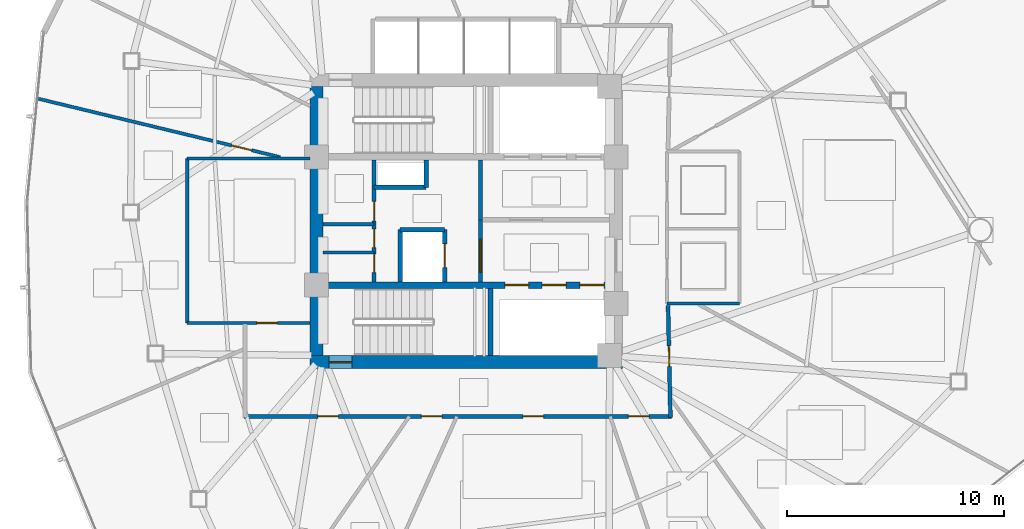
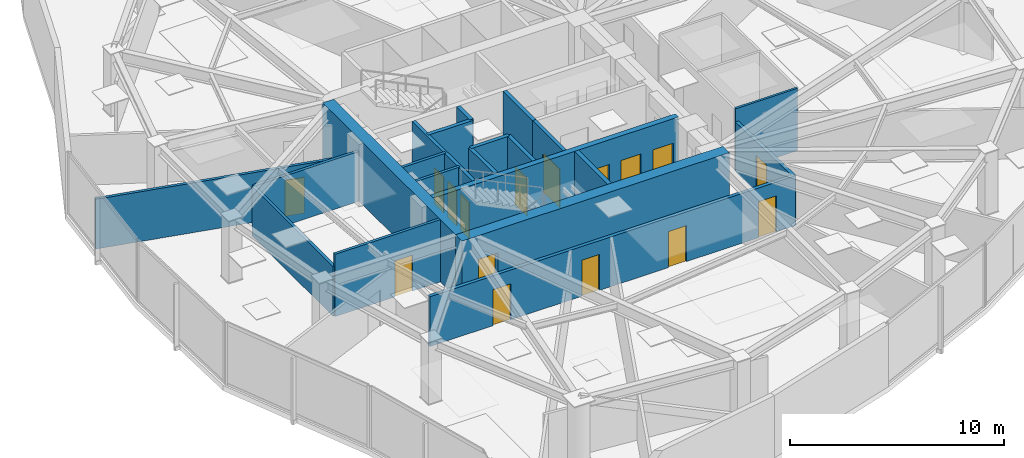
# One storey, part 11 of 17: 21 walls, 16 doors, 16 openings.
"""IFC4 building model written with IfcOpenShell, lengths in metres."""

from ifc_helpers import new_model, si_unit, direction, frame, frame_2d, origin, place, context, subcontext, project, spatial, rectangle, extrude, material, layer, layer_set, type_object, element, fill, save


model = new_model("IFC4")

# Units and contexts
model_context = context("Model", 3, precision=1e-05, world=origin(), true_north=direction((0.0, 1.0)))
body_context = subcontext(model_context, "Body", "Model", "MODEL_VIEW")
ifc_project = project(units=[si_unit("LENGTHUNIT", "METRE"), si_unit("AREAUNIT", "SQUARE_METRE"), si_unit("VOLUMEUNIT", "CUBIC_METRE"), si_unit("PLANEANGLEUNIT", "RADIAN"), si_unit("MASSUNIT", "GRAM", prefix="KILO")], contexts=[model_context])

# Site, building, storey
site_placement = place(None, origin())
site = spatial("IfcSite", under=ifc_project, at=site_placement, CompositionType="ELEMENT")
building_placement = place(site_placement, origin())
building = spatial("IfcBuilding", under=site, at=building_placement, Name="Tavelor Broadcast Tower", CompositionType="ELEMENT")
storey_placement = place(building_placement, frame((0.0, 0.0, 150.25)))
storey = spatial("IfcBuildingStorey", under=building, at=storey_placement, Name="L35", CompositionType="ELEMENT", Elevation=150.25)

# Wall, opening, door
ifc_material_1 = material(Name="Concrete C60/75", Category="concrete")
ifc_layer_1 = layer(ifc_material_1, 0.60009765625)
ifc_layer_set_1 = layer_set([ifc_layer_1], Name="Concrete C60/75")
wall_type_1 = type_object("IfcWallType", Name="Core Shear Wall 600 mm", PredefinedType="SHEAR", material=ifc_layer_set_1)
wall_1_placement = place(storey_placement, frame((42.800048828125, 38.5, 0.0), z_axis=(0.0, 0.0, 1.0), x_axis=(1.0, 0.0, 0.0)))
wall_1 = element("IfcWall", 1, at=wall_1_placement, inside=storey, type_object=wall_type_1, Name="L35 Central Core Shear Wall S", PredefinedType="SHEAR", context=body_context, shape_type="SweptSolid", body=[
    extrude(rectangle(XDim=14.39990234375, YDim=0.60009765625, at=frame_2d((7.199951171875, 0.0))), origin(), (0.0, 0.0, 1.0), 3.550048828125),
])
opening_1_placement = place(wall_1_placement, frame((0.8798828125, 0.0, 0.0)))
opening_1 = element("IfcOpeningElement", 2, at=opening_1_placement, cuts=wall_1, Name="Opening DR11", PredefinedType="OPENING", context=body_context, shape_type="SweptSolid", body=[
    extrude(rectangle(XDim=1.050048828125, YDim=2.199951171875, at=frame_2d((0.52490234375, 1.10009765625))), frame((0.0, 0.31005859375, 0.0), z_axis=(0.0, -1.0, 0.0), x_axis=(1.0, 0.0, 0.0)), (0.0, 0.0, 1.0), 0.6201171875),
])
ifc_material_2 = material(Name="Steel S355", Category="steel")
door_type_1 = type_object("IfcDoorType", Name="Stair Core Fire Escape Door 1050x2200", OperationType="NOTDEFINED", PredefinedType="DOOR", material=ifc_material_2)
door_1_placement = place(opening_1_placement, origin())
door_1 = element("IfcDoor", 3, at=door_1_placement, inside=storey, type_object=door_type_1, Name="L35 Stair ST2 Protected Exit Door", OperationType="SINGLE_SWING_RIGHT", OverallHeight=2.199951171875, OverallWidth=1.050048828125, PredefinedType="DOOR", context=body_context, shape_type="SweptSolid", body=[
    extrude(rectangle(XDim=1.050048828125, YDim=2.199951171875, at=frame_2d((0.52490234375, 1.10009765625))), frame((0.0, 0.02490234375, 0.0), z_axis=(0.0, -1.0, 0.0), x_axis=(1.0, 0.0, 0.0)), (0.0, 0.0, 1.0), 0.050048828125),
])
fill(opening_1, door_1)

# Wall
wall_2_placement = place(storey_placement, frame((43.10009765625, 38.800048828125, 0.0), z_axis=(0.0, 0.0, 1.0), x_axis=(0.0, 1.0, 0.0)))
element("IfcWall", 4, at=wall_2_placement, inside=storey, type_object=wall_type_1, Name="L35 Central Core Shear Wall W", PredefinedType="SHEAR", context=body_context, shape_type="SweptSolid", body=[
    extrude(rectangle(XDim=12.39990234375, YDim=0.60009765625, at=frame_2d((6.199951171875, 0.0))), origin(), (0.0, 0.0, 1.0), 3.550048828125),
])

# Wall, openings, doors
ifc_layer_2 = layer(ifc_material_1, 0.300048828125)
ifc_layer_set_2 = layer_set([ifc_layer_2], Name="Concrete C60/75")
wall_type_2 = type_object("IfcWallType", Name="Core Spine Shear Wall 300 mm C60", PredefinedType="SHEAR", material=ifc_layer_set_2)
wall_3_placement = place(storey_placement, frame((43.39990234375, 42.050048828125, 0.0), z_axis=(0.0, 0.0, 1.0), x_axis=(1.0, 0.0, 0.0)))
wall_3 = element("IfcWall", 5, at=wall_3_placement, inside=storey, type_object=wall_type_2, Name="L35 Central Core Shear Wall SP2", PredefinedType="SHEAR", context=body_context, shape_type="SweptSolid", body=[
    extrude(rectangle(XDim=13.2001953125, YDim=0.300048828125, at=frame_2d((6.60009765625, 0.0))), origin(), (0.0, 0.0, 1.0), 3.550048828125),
])
opening_2_placement = place(wall_3_placement, frame((8.3701171875, 0.0, 0.0)))
opening_2 = element("IfcOpeningElement", 6, at=opening_2_placement, cuts=wall_3, Name="Opening LD01", PredefinedType="OPENING", context=body_context, shape_type="SweptSolid", body=[
    extrude(rectangle(XDim=1.10009765625, YDim=2.14990234375, at=frame_2d((0.550048828125, 1.074951171875))), frame((0.0, 0.16015625, 0.0), z_axis=(0.0, -1.0, 0.0), x_axis=(1.0, 0.0, 0.0)), (0.0, 0.0, 1.0), 0.320068359375),
])
opening_3_placement = place(wall_3_placement, frame((10.090087890625, 0.0, 0.0)))
opening_3 = element("IfcOpeningElement", 7, at=opening_3_placement, cuts=wall_3, Name="Opening LD01", PredefinedType="OPENING", context=body_context, shape_type="SweptSolid", body=[
    extrude(rectangle(XDim=1.10009765625, YDim=2.14990234375, at=frame_2d((0.550048828125, 1.074951171875))), frame((0.0, 0.16015625, 0.0), z_axis=(0.0, -1.0, 0.0), x_axis=(1.0, 0.0, 0.0)), (0.0, 0.0, 1.0), 0.320068359375),
])
opening_4_placement = place(wall_3_placement, frame((11.830078125, 0.0, 0.0)))
opening_4 = element("IfcOpeningElement", 8, at=opening_4_placement, cuts=wall_3, Name="Opening LD01", PredefinedType="OPENING", context=body_context, shape_type="SweptSolid", body=[
    extrude(rectangle(XDim=1.10009765625, YDim=2.14990234375, at=frame_2d((0.550048828125, 1.074951171875))), frame((0.0, 0.16015625, 0.0), z_axis=(0.0, -1.0, 0.0), x_axis=(1.0, 0.0, 0.0)), (0.0, 0.0, 1.0), 0.320068359375),
])
ifc_material_3 = material(Name="Brushed Stainless Steel", Category="steel")
door_type_2 = type_object("IfcDoorType", Name="Passenger Lift Sliding Landing Door 1100x2150", OperationType="NOTDEFINED", PredefinedType="DOOR", material=ifc_material_3)
door_2_placement = place(opening_2_placement, origin())
door_2 = element("IfcDoor", 9, at=door_2_placement, inside=storey, type_object=door_type_2, Name="L35 Lift PLM1 Sliding Landing Door", OperationType="SLIDING_TO_LEFT", OverallHeight=2.14990234375, OverallWidth=1.10009765625, PredefinedType="DOOR", context=body_context, shape_type="SweptSolid", body=[
    extrude(rectangle(XDim=1.10009765625, YDim=2.14990234375, at=frame_2d((0.550048828125, 1.074951171875))), frame((0.0, 0.02490234375, 0.0), z_axis=(0.0, -1.0, 0.0), x_axis=(1.0, 0.0, 0.0)), (0.0, 0.0, 1.0), 0.050048828125),
])
fill(opening_2, door_2)
door_3_placement = place(opening_3_placement, origin())
door_3 = element("IfcDoor", 10, at=door_3_placement, inside=storey, type_object=door_type_2, Name="L35 Lift PLM2 Sliding Landing Door", OperationType="SLIDING_TO_LEFT", OverallHeight=2.14990234375, OverallWidth=1.10009765625, PredefinedType="DOOR", context=body_context, shape_type="SweptSolid", body=[
    extrude(rectangle(XDim=1.10009765625, YDim=2.14990234375, at=frame_2d((0.550048828125, 1.074951171875))), frame((0.0, 0.02490234375, 0.0), z_axis=(0.0, -1.0, 0.0), x_axis=(1.0, 0.0, 0.0)), (0.0, 0.0, 1.0), 0.050048828125),
])
fill(opening_3, door_3)
door_4_placement = place(opening_4_placement, origin())
door_4 = element("IfcDoor", 11, at=door_4_placement, inside=storey, type_object=door_type_2, Name="L35 Lift PLM3 Sliding Landing Door", OperationType="SLIDING_TO_LEFT", OverallHeight=2.14990234375, OverallWidth=1.10009765625, PredefinedType="DOOR", context=body_context, shape_type="SweptSolid", body=[
    extrude(rectangle(XDim=1.10009765625, YDim=2.14990234375, at=frame_2d((0.550048828125, 1.074951171875))), frame((0.0, 0.02490234375, 0.0), z_axis=(0.0, -1.0, 0.0), x_axis=(1.0, 0.0, 0.0)), (0.0, 0.0, 1.0), 0.050048828125),
])
fill(opening_4, door_4)

# Wall, opening, door
ifc_material_4 = material(Name="Calcium Silicate Fire Board 180 mm", Category="gypsum")
ifc_layer_3 = layer(ifc_material_4, 0.179931640625)
ifc_layer_set_3 = layer_set([ifc_layer_3], Name="Calcium Silicate Fire Board 180 mm")
wall_type_3 = type_object("IfcWallType", Name="Fire-Rated Corridor Partition Wall 180 mm", PredefinedType="PARTITIONING", material=ifc_layer_set_3)
wall_4_placement = place(storey_placement, frame((50.64990234375, 42.199951171875, 0.0), z_axis=(0.0, 0.0, 1.0), x_axis=(0.0, 1.0, 0.0)))
wall_4 = element("IfcWall", 12, at=wall_4_placement, inside=storey, type_object=wall_type_3, Name="L35 Core Lobby Zoning Wall", PredefinedType="PARTITIONING", context=body_context, shape_type="SweptSolid", body=[
    extrude(rectangle(XDim=2.85009765625, YDim=0.179931640625, at=frame_2d((1.425048828125, 0.0))), origin(), (0.0, 0.0, 1.0), 3.550048828125),
])
opening_5_placement = place(wall_4_placement, frame((0.449951171875, 0.0, 0.0)))
opening_5 = element("IfcOpeningElement", 13, at=opening_5_placement, cuts=wall_4, Name="Opening DR14", PredefinedType="OPENING", context=body_context, shape_type="SweptSolid", body=[
    extrude(rectangle(XDim=1.5, YDim=2.199951171875, at=frame_2d((0.75, 1.10009765625))), frame((0.0, 0.10009765625, 0.0), z_axis=(0.0, -1.0, 0.0), x_axis=(1.0, 0.0, 0.0)), (0.0, 0.0, 1.0), 0.199951171875),
])
door_type_3 = type_object("IfcDoorType", Name="Firefighting Lobby Double Fire Door 1500x2200", OperationType="NOTDEFINED", PredefinedType="DOOR", material=ifc_material_2)
door_5_placement = place(opening_5_placement, origin())
door_5 = element("IfcDoor", 14, at=door_5_placement, inside=storey, type_object=door_type_3, Name="L35 Core West Lobby Double Fire Door", OperationType="SINGLE_SWING_RIGHT", OverallHeight=2.199951171875, OverallWidth=1.5, PredefinedType="DOOR", context=body_context, shape_type="SweptSolid", body=[
    extrude(rectangle(XDim=1.5, YDim=2.199951171875, at=frame_2d((0.75, 1.10009765625))), frame((0.0, 0.02490234375, 0.0), z_axis=(0.0, -1.0, 0.0), x_axis=(1.0, 0.0, 0.0)), (0.0, 0.0, 1.0), 0.050048828125),
])
fill(opening_5, door_5)

# Wall, openings, doors
wall_5_placement = place(storey_placement, frame((45.75, 42.199951171875, 0.0), z_axis=(0.0, 0.0, 1.0), x_axis=(0.0, 1.0, 0.0)))
wall_5 = element("IfcWall", 15, at=wall_5_placement, inside=storey, type_object=wall_type_3, Name="L35 Core West Service East Wall", PredefinedType="PARTITIONING", context=body_context, shape_type="SweptSolid", body=[
    extrude(rectangle(XDim=5.60009765625, YDim=0.179931640625, at=frame_2d((2.800048828125, 0.0))), origin(), (0.0, 0.0, 1.0), 3.550048828125),
])
opening_6_placement = place(wall_5_placement, frame((0.419921875, 0.0, 0.0)))
opening_6 = element("IfcOpeningElement", 16, at=opening_6_placement, cuts=wall_5, Name="Opening DR36", PredefinedType="OPENING", context=body_context, shape_type="SweptSolid", body=[
    extrude(rectangle(XDim=0.85009765625, YDim=2.050048828125, at=frame_2d((0.425048828125, 1.02490234375))), frame((0.0, 0.10009765625, 0.0), z_axis=(0.0, -1.0, 0.0), x_axis=(1.0, 0.0, 0.0)), (0.0, 0.0, 1.0), 0.199951171875),
])
opening_7_placement = place(wall_5_placement, frame((1.570068359375, 0.0, 0.0)))
opening_7 = element("IfcOpeningElement", 17, at=opening_7_placement, cuts=wall_5, Name="Opening DR36", PredefinedType="OPENING", context=body_context, shape_type="SweptSolid", body=[
    extrude(rectangle(XDim=0.85009765625, YDim=2.050048828125, at=frame_2d((0.425048828125, 1.02490234375))), frame((0.0, 0.10009765625, 0.0), z_axis=(0.0, -1.0, 0.0), x_axis=(1.0, 0.0, 0.0)), (0.0, 0.0, 1.0), 0.199951171875),
])
opening_8_placement = place(wall_5_placement, frame((2.800048828125, 0.0, 0.0)))
opening_8 = element("IfcOpeningElement", 18, at=opening_8_placement, cuts=wall_5, Name="Opening DR32", PredefinedType="OPENING", context=body_context, shape_type="SweptSolid", body=[
    extrude(rectangle(XDim=0.89990234375, YDim=2.050048828125, at=frame_2d((0.449951171875, 1.02490234375))), frame((0.0, 0.10009765625, 0.0), z_axis=(0.0, -1.0, 0.0), x_axis=(1.0, 0.0, 0.0)), (0.0, 0.0, 1.0), 0.199951171875),
])
ifc_material_5 = material(Name="Timber Solid Core Hardwood", Category="wood")
door_type_4 = type_object("IfcDoorType", Name="Accessible Washroom Door 900x2050", OperationType="NOTDEFINED", PredefinedType="DOOR", material=ifc_material_5)
door_6_placement = place(opening_8_placement, origin())
door_6 = element("IfcDoor", 19, at=door_6_placement, inside=storey, type_object=door_type_4, Name="L35 Core Accessible WC Door", OperationType="SINGLE_SWING_LEFT", OverallHeight=2.050048828125, OverallWidth=0.89990234375, PredefinedType="DOOR", context=body_context, shape_type="SweptSolid", body=[
    extrude(rectangle(XDim=0.89990234375, YDim=2.050048828125, at=frame_2d((0.449951171875, 1.02490234375))), frame((0.0, 0.02490234375, 0.0), z_axis=(0.0, -1.0, 0.0), x_axis=(1.0, 0.0, 0.0)), (0.0, 0.0, 1.0), 0.050048828125),
])
fill(opening_8, door_6)
door_type_5 = type_object("IfcDoorType", Name="Service Room Fire Door 850x2050", OperationType="NOTDEFINED", PredefinedType="DOOR", material=ifc_material_2)
door_7_placement = place(opening_6_placement, origin())
door_7 = element("IfcDoor", 20, at=door_7_placement, inside=storey, type_object=door_type_5, Name="L35 Core Medical Room Door", OperationType="SINGLE_SWING_LEFT", OverallHeight=2.050048828125, OverallWidth=0.85009765625, PredefinedType="DOOR", context=body_context, shape_type="SweptSolid", body=[
    extrude(rectangle(XDim=0.85009765625, YDim=2.050048828125, at=frame_2d((0.425048828125, 1.02490234375))), frame((0.0, 0.02490234375, 0.0), z_axis=(0.0, -1.0, 0.0), x_axis=(1.0, 0.0, 0.0)), (0.0, 0.0, 1.0), 0.050048828125),
])
fill(opening_6, door_7)
door_8_placement = place(opening_7_placement, origin())
door_8 = element("IfcDoor", 21, at=door_8_placement, inside=storey, type_object=door_type_5, Name="L35 Core Copy Room Door", OperationType="SINGLE_SWING_RIGHT", OverallHeight=2.050048828125, OverallWidth=0.85009765625, PredefinedType="DOOR", context=body_context, shape_type="SweptSolid", body=[
    extrude(rectangle(XDim=0.85009765625, YDim=2.050048828125, at=frame_2d((0.425048828125, 1.02490234375))), frame((0.0, 0.02490234375, 0.0), z_axis=(0.0, -1.0, 0.0), x_axis=(1.0, 0.0, 0.0)), (0.0, 0.0, 1.0), 0.050048828125),
])
fill(opening_7, door_8)

# Wall, opening, door
wall_6_placement = place(storey_placement, frame((59.291015625, 41.10009765625, 0.0), z_axis=(0.0, 0.0, 1.0), x_axis=(0.021374589398, -0.999771537366, 0.0)))
wall_6 = element("IfcWall", 22, at=wall_6_placement, inside=storey, type_object=wall_type_3, Name="L35 Corridor Compartment Wall 03", PredefinedType="PARTITIONING", context=body_context, shape_type="SweptSolid", body=[
    extrude(rectangle(XDim=5.1513671875, YDim=0.179931640625, at=frame_2d((2.57568359375, 0.0))), origin(), (0.0, 0.0, 1.0), 2.8349609375),
])
opening_9_placement = place(wall_6_placement, frame((1.8486328125, 0.0, 0.0)))
opening_9 = element("IfcOpeningElement", 23, at=opening_9_placement, cuts=wall_6, Name="Opening DR18", PredefinedType="OPENING", context=body_context, shape_type="SweptSolid", body=[
    extrude(rectangle(XDim=0.949951171875, YDim=2.050048828125, at=frame_2d((0.47509765625, 1.02490234375))), frame((0.0, 0.10009765625, 0.0), z_axis=(0.0, -1.0, 0.0), x_axis=(1.0, 0.0, 0.0)), (0.0, 0.0, 1.0), 0.199951171875),
])
door_type_6 = type_object("IfcDoorType", Name="Corridor Rated Compartment Door 950x2050", OperationType="NOTDEFINED", PredefinedType="DOOR", material=ifc_material_5)
door_9_placement = place(opening_9_placement, origin())
door_9 = element("IfcDoor", 24, at=door_9_placement, inside=storey, type_object=door_type_6, Name="L35 Media Content Workshop Door R1", OperationType="SINGLE_SWING_RIGHT", OverallHeight=2.050048828125, OverallWidth=0.949951171875, PredefinedType="DOOR", context=body_context, shape_type="SweptSolid", body=[
    extrude(rectangle(XDim=0.949951171875, YDim=2.050048828125, at=frame_2d((0.47509765625, 1.02490234375))), frame((0.0, 0.02490234375, 0.0), z_axis=(0.0, -1.0, 0.0), x_axis=(1.0, 0.0, 0.0)), (0.0, 0.0, 1.0), 0.050048828125),
])
fill(opening_9, door_9)

# Wall, openings, doors
wall_7_placement = place(storey_placement, frame((59.449951171875, 36.0, 0.0), z_axis=(0.0, 0.0, 1.0), x_axis=(-1.0, 0.0, 0.0)))
wall_7 = element("IfcWall", 25, at=wall_7_placement, inside=storey, type_object=wall_type_3, Name="L35 Corridor Compartment Wall 04", PredefinedType="PARTITIONING", context=body_context, shape_type="SweptSolid", body=[
    extrude(rectangle(XDim=19.699951171875, YDim=0.179931640625, at=frame_2d((9.85009765625, 0.0))), origin(), (0.0, 0.0, 1.0), 2.8349609375),
])
opening_10_placement = place(wall_7_placement, frame((1.03515625, 0.0, 0.0)))
opening_10 = element("IfcOpeningElement", 26, at=opening_10_placement, cuts=wall_7, Name="Opening DR18", PredefinedType="OPENING", context=body_context, shape_type="SweptSolid", body=[
    extrude(rectangle(XDim=0.949951171875, YDim=2.050048828125, at=frame_2d((0.47509765625, 1.02490234375))), frame((0.0, 0.10009765625, 0.0), z_axis=(0.0, -1.0, 0.0), x_axis=(1.0, 0.0, 0.0)), (0.0, 0.0, 1.0), 0.199951171875),
])
opening_11_placement = place(wall_7_placement, frame((5.885498046875, 0.0, 0.0)))
opening_11 = element("IfcOpeningElement", 27, at=opening_11_placement, cuts=wall_7, Name="Opening DR18", PredefinedType="OPENING", context=body_context, shape_type="SweptSolid", body=[
    extrude(rectangle(XDim=0.949951171875, YDim=2.050048828125, at=frame_2d((0.47509765625, 1.02490234375))), frame((0.0, 0.10009765625, 0.0), z_axis=(0.0, -1.0, 0.0), x_axis=(1.0, 0.0, 0.0)), (0.0, 0.0, 1.0), 0.199951171875),
])
opening_12_placement = place(wall_7_placement, frame((10.56689453125, 0.0, 0.0)))
opening_12 = element("IfcOpeningElement", 28, at=opening_12_placement, cuts=wall_7, Name="Opening DR18", PredefinedType="OPENING", context=body_context, shape_type="SweptSolid", body=[
    extrude(rectangle(XDim=0.949951171875, YDim=2.050048828125, at=frame_2d((0.47509765625, 1.02490234375))), frame((0.0, 0.10009765625, 0.0), z_axis=(0.0, -1.0, 0.0), x_axis=(1.0, 0.0, 0.0)), (0.0, 0.0, 1.0), 0.199951171875),
])
opening_13_placement = place(wall_7_placement, frame((15.342529296875, 0.0, 0.0)))
opening_13 = element("IfcOpeningElement", 29, at=opening_13_placement, cuts=wall_7, Name="Opening DR18", PredefinedType="OPENING", context=body_context, shape_type="SweptSolid", body=[
    extrude(rectangle(XDim=0.949951171875, YDim=2.050048828125, at=frame_2d((0.47509765625, 1.02490234375))), frame((0.0, 0.10009765625, 0.0), z_axis=(0.0, -1.0, 0.0), x_axis=(1.0, 0.0, 0.0)), (0.0, 0.0, 1.0), 0.199951171875),
])
door_10_placement = place(opening_10_placement, origin())
door_10 = element("IfcDoor", 30, at=door_10_placement, inside=storey, type_object=door_type_6, Name="L35 Music Mixing Workshop Door R2", OperationType="SINGLE_SWING_LEFT", OverallHeight=2.050048828125, OverallWidth=0.949951171875, PredefinedType="DOOR", context=body_context, shape_type="SweptSolid", body=[
    extrude(rectangle(XDim=0.949951171875, YDim=2.050048828125, at=frame_2d((0.47509765625, 1.02490234375))), frame((0.0, 0.02490234375, 0.0), z_axis=(0.0, -1.0, 0.0), x_axis=(1.0, 0.0, 0.0)), (0.0, 0.0, 1.0), 0.050048828125),
])
fill(opening_10, door_10)
door_11_placement = place(opening_11_placement, origin())
door_11 = element("IfcDoor", 31, at=door_11_placement, inside=storey, type_object=door_type_6, Name="L35 Quiet Listening Room Door R3", OperationType="SINGLE_SWING_RIGHT", OverallHeight=2.050048828125, OverallWidth=0.949951171875, PredefinedType="DOOR", context=body_context, shape_type="SweptSolid", body=[
    extrude(rectangle(XDim=0.949951171875, YDim=2.050048828125, at=frame_2d((0.47509765625, 1.02490234375))), frame((0.0, 0.02490234375, 0.0), z_axis=(0.0, -1.0, 0.0), x_axis=(1.0, 0.0, 0.0)), (0.0, 0.0, 1.0), 0.050048828125),
])
fill(opening_11, door_11)
door_12_placement = place(opening_12_placement, origin())
door_12 = element("IfcDoor", 32, at=door_12_placement, inside=storey, type_object=door_type_6, Name="L35 Broadcast Craft Workshop Door R4", OperationType="SINGLE_SWING_LEFT", OverallHeight=2.050048828125, OverallWidth=0.949951171875, PredefinedType="DOOR", context=body_context, shape_type="SweptSolid", body=[
    extrude(rectangle(XDim=0.949951171875, YDim=2.050048828125, at=frame_2d((0.47509765625, 1.02490234375))), frame((0.0, 0.02490234375, 0.0), z_axis=(0.0, -1.0, 0.0), x_axis=(1.0, 0.0, 0.0)), (0.0, 0.0, 1.0), 0.050048828125),
])
fill(opening_12, door_12)
door_13_placement = place(opening_13_placement, origin())
door_13 = element("IfcDoor", 33, at=door_13_placement, inside=storey, type_object=door_type_6, Name="L35 Wellness Quiet Room Door R5", OperationType="SINGLE_SWING_RIGHT", OverallHeight=2.050048828125, OverallWidth=0.949951171875, PredefinedType="DOOR", context=body_context, shape_type="SweptSolid", body=[
    extrude(rectangle(XDim=0.949951171875, YDim=2.050048828125, at=frame_2d((0.47509765625, 1.02490234375))), frame((0.0, 0.02490234375, 0.0), z_axis=(0.0, -1.0, 0.0), x_axis=(1.0, 0.0, 0.0)), (0.0, 0.0, 1.0), 0.050048828125),
])
fill(opening_13, door_13)

# Walls
ifc_material_6 = material(Name="Gypsum Acoustic Plasterboard 150 mm", Category="gypsum")
ifc_layer_4 = layer(ifc_material_6, 0.14990234375)
ifc_layer_set_4 = layer_set([ifc_layer_4], Name="Gypsum Acoustic Plasterboard 150 mm")
wall_type_4 = type_object("IfcWallType", Name="Interior Acoustic Partition Wall 150 mm", PredefinedType="PARTITIONING", material=ifc_layer_set_4)
for number, where, z_axis, x_axis, name in (
    (34, (43.39990234375, 43.550048828125, 0.0), (0.0, 0.0, 1.0), (1.0, 0.0, 0.0), "L35 Core Split Wall B1"),
    (35, (43.39990234375, 44.85009765625, 0.0), (0.0, 0.0, 1.0), (1.0, 0.0, 0.0), "L35 Core Split Wall B2"),
):
    element("IfcWall", number, at=place(storey_placement, frame(where, z_axis=z_axis, x_axis=x_axis)), inside=storey, type_object=wall_type_4, Name=name, PredefinedType="PARTITIONING", context=body_context, shape_type="SweptSolid", body=[
        extrude(rectangle(XDim=2.35009765625, YDim=0.14990234375, at=frame_2d((1.175048828125, 0.0))), origin(), (0.0, 0.0, 1.0), 3.550048828125),
    ])

# Wall, opening, door
wall_8_placement = place(storey_placement, frame((37.139892578125, 40.300048828125, 0.0), z_axis=(0.0, 0.0, 1.0), x_axis=(1.0, 0.0, 0.0)))
wall_8 = element("IfcWall", 36, at=wall_8_placement, inside=storey, type_object=wall_type_4, Name="L35 Reclaimed Shaft Pantry South Wall", PredefinedType="PARTITIONING", context=body_context, shape_type="SweptSolid", body=[
    extrude(rectangle(XDim=5.66015625, YDim=0.14990234375, at=frame_2d((2.830078125, 0.0))), origin(), (0.0, 0.0, 1.0), 3.550048828125),
])
opening_14_placement = place(wall_8_placement, frame((3.2099609375, 0.0, 0.0)))
opening_14 = element("IfcOpeningElement", 37, at=opening_14_placement, cuts=wall_8, Name="Opening DR18", PredefinedType="OPENING", context=body_context, shape_type="SweptSolid", body=[
    extrude(rectangle(XDim=0.949951171875, YDim=2.050048828125, at=frame_2d((0.47509765625, 1.02490234375))), frame((0.0, 0.0849609375, 0.0), z_axis=(0.0, -1.0, 0.0), x_axis=(1.0, 0.0, 0.0)), (0.0, 0.0, 1.0), 0.169921875),
])
door_14_placement = place(opening_14_placement, origin())
door_14 = element("IfcDoor", 38, at=door_14_placement, inside=storey, type_object=door_type_6, Name="L35 Broadcast IT Patch and Pantry Door", OperationType="SINGLE_SWING_LEFT", OverallHeight=2.050048828125, OverallWidth=0.949951171875, PredefinedType="DOOR", context=body_context, shape_type="SweptSolid", body=[
    extrude(rectangle(XDim=0.949951171875, YDim=2.050048828125, at=frame_2d((0.47509765625, 1.02490234375))), frame((0.0, 0.02490234375, 0.0), z_axis=(0.0, -1.0, 0.0), x_axis=(1.0, 0.0, 0.0)), (0.0, 0.0, 1.0), 0.050048828125),
])
fill(opening_14, door_14)

# Walls
wall_9_placement = place(storey_placement, frame((37.139892578125, 40.300048828125, 0.0), z_axis=(0.0, 0.0, 1.0), x_axis=(0.0, 1.0, 0.0)))
element("IfcWall", 39, at=wall_9_placement, inside=storey, type_object=wall_type_4, Name="L35 Reclaimed Shaft Pantry West Wall", PredefinedType="PARTITIONING", context=body_context, shape_type="SweptSolid", body=[
    extrude(rectangle(XDim=7.579833984375, YDim=0.14990234375, at=frame_2d((3.7900390625, 0.0))), origin(), (0.0, 0.0, 1.0), 2.8349609375),
])
wall_10_placement = place(storey_placement, frame((37.139892578125, 47.8798828125, 0.0), z_axis=(0.0, 0.0, 1.0), x_axis=(1.0, 0.0, 0.0)))
element("IfcWall", 40, at=wall_10_placement, inside=storey, type_object=wall_type_4, Name="L35 Reclaimed Shaft Pantry North Wall", PredefinedType="PARTITIONING", context=body_context, shape_type="SweptSolid", body=[
    extrude(rectangle(XDim=5.66015625, YDim=0.14990234375, at=frame_2d((2.830078125, 0.0))), origin(), (0.0, 0.0, 1.0), 2.8349609375),
])

# Wall, opening, door
wall_11_placement = place(storey_placement, frame((41.42578125, 47.93994140625, 0.0), z_axis=(0.0, 0.0, 1.0), x_axis=(-0.972054043984, 0.234757184288, 0.0)))
wall_11 = element("IfcWall", 41, at=wall_11_placement, inside=storey, type_object=wall_type_4, Name="L35 Radial Compartment Wall 06", PredefinedType="PARTITIONING", context=body_context, shape_type="SweptSolid", body=[
    extrude(rectangle(XDim=11.52490234375, YDim=0.14990234375, at=frame_2d((5.762451171875, 0.0))), origin(), (0.0, 0.0, 1.0), 2.8349609375),
])
opening_15_placement = place(wall_11_placement, frame((1.35009765625, 0.0, 0.0)))
opening_15 = element("IfcOpeningElement", 42, at=opening_15_placement, cuts=wall_11, Name="Opening DR18", PredefinedType="OPENING", context=body_context, shape_type="SweptSolid", body=[
    extrude(rectangle(XDim=0.949951171875, YDim=2.050048828125, at=frame_2d((0.47509765625, 1.02490234375))), frame((0.0, 0.0849609375, 0.0), z_axis=(0.0, -1.0, 0.0), x_axis=(1.0, 0.0, 0.0)), (0.0, 0.0, 1.0), 0.169921875),
])
door_15_placement = place(opening_15_placement, origin())
door_15 = element("IfcDoor", 43, at=door_15_placement, inside=storey, type_object=door_type_6, Name="L35 Suite Connecting Door 8", OperationType="SINGLE_SWING_RIGHT", OverallHeight=2.050048828125, OverallWidth=0.949951171875, PredefinedType="DOOR", context=body_context, shape_type="SweptSolid", body=[
    extrude(rectangle(XDim=0.949951171875, YDim=2.050048828125, at=frame_2d((0.47509765625, 1.02490234375))), frame((0.0, 0.02490234375, 0.0), z_axis=(0.0, -1.0, 0.0), x_axis=(1.0, 0.0, 0.0)), (0.0, 0.0, 1.0), 0.050048828125),
])
fill(opening_15, door_15)

ifc_material_7 = material(Name="Concrete Blockwork 200 mm", Category="masonry")
ifc_layer_5 = layer(ifc_material_7, 0.199951171875)
ifc_layer_set_5 = layer_set([ifc_layer_5], Name="Concrete Blockwork 200 mm")
wall_type_5 = type_object("IfcWallType", Name="Lift Hoistway Rated Front Wall 200 mm", PredefinedType="PARTITIONING", material=ifc_layer_set_5)
wall_12_placement = place(storey_placement, frame((49.0, 42.199951171875, 0.0), z_axis=(0.0, 0.0, 1.0), x_axis=(0.0, 1.0, 0.0)))
wall_12 = element("IfcWall", 44, at=wall_12_placement, inside=storey, type_object=wall_type_5, Name="L35 Mid-Rise Lift PLM4 Hoistway Front Wall", PredefinedType="PARTITIONING", context=body_context, shape_type="SweptSolid", body=[
    extrude(rectangle(XDim=2.400146484375, YDim=0.199951171875, at=frame_2d((1.2001953125, 0.0))), origin(), (0.0, 0.0, 1.0), 3.550048828125),
])
opening_16_placement = place(wall_12_placement, frame((0.64990234375, 0.0, 0.0)))
opening_16 = element("IfcOpeningElement", 45, at=opening_16_placement, cuts=wall_12, Name="Opening LD01", PredefinedType="OPENING", context=body_context, shape_type="SweptSolid", body=[
    extrude(rectangle(XDim=1.10009765625, YDim=2.14990234375, at=frame_2d((0.550048828125, 1.074951171875))), frame((0.0, 0.10986328125, 0.0), z_axis=(0.0, -1.0, 0.0), x_axis=(1.0, 0.0, 0.0)), (0.0, 0.0, 1.0), 0.219970703125),
])
door_16_placement = place(opening_16_placement, origin())
door_16 = element("IfcDoor", 46, at=door_16_placement, inside=storey, type_object=door_type_2, Name="L35 Lift PLM4 Sliding Landing Door", OperationType="SLIDING_TO_RIGHT", OverallHeight=2.14990234375, OverallWidth=1.10009765625, PredefinedType="DOOR", context=body_context, shape_type="SweptSolid", body=[
    extrude(rectangle(XDim=1.10009765625, YDim=2.14990234375, at=frame_2d((0.550048828125, 1.074951171875))), frame((0.0, 0.02490234375, 0.0), z_axis=(0.0, -1.0, 0.0), x_axis=(1.0, 0.0, 0.0)), (0.0, 0.0, 1.0), 0.050048828125),
])
fill(opening_16, door_16)

# Walls
ifc_layer_6 = layer(ifc_material_7, 0.199951171875)
ifc_layer_set_6 = layer_set([ifc_layer_6], Name="Concrete Blockwork 200 mm")
wall_type_6 = type_object("IfcWallType", Name="Lift and Riser Shaft Enclosure Wall 200 mm", PredefinedType="PARTITIONING", material=ifc_layer_set_6)
wall_13_placement = place(storey_placement, frame((45.75, 46.550048828125, 0.0), z_axis=(0.0, 0.0, 1.0), x_axis=(1.0, 0.0, 0.0)))
element("IfcWall", 47, at=wall_13_placement, inside=storey, type_object=wall_type_6, Name="L35 Riser Shaft South Wall", PredefinedType="PARTITIONING", context=body_context, shape_type="SweptSolid", body=[
    extrude(rectangle(XDim=2.39990234375, YDim=0.199951171875, at=frame_2d((1.199951171875, 0.0))), origin(), (0.0, 0.0, 1.0), 3.550048828125),
])
wall_14_placement = place(storey_placement, frame((48.14990234375, 46.550048828125, 0.0), z_axis=(0.0, 0.0, 1.0), x_axis=(0.0, 1.0, 0.0)))
element("IfcWall", 48, at=wall_14_placement, inside=storey, type_object=wall_type_6, Name="L35 Riser Shaft East Wall", PredefinedType="PARTITIONING", context=body_context, shape_type="SweptSolid", body=[
    extrude(rectangle(XDim=1.25, YDim=0.199951171875, at=frame_2d((0.625, 0.0))), origin(), (0.0, 0.0, 1.0), 3.550048828125),
])
wall_15_placement = place(storey_placement, frame((46.949951171875, 42.199951171875, 0.0), z_axis=(0.0, 0.0, 1.0), x_axis=(0.0, 1.0, 0.0)))
element("IfcWall", 49, at=wall_15_placement, inside=storey, type_object=wall_type_6, Name="L35 Mid-Rise Lift PLM4 West Wall", PredefinedType="PARTITIONING", context=body_context, shape_type="SweptSolid", body=[
    extrude(rectangle(XDim=2.400146484375, YDim=0.199951171875, at=frame_2d((1.2001953125, 0.0))), origin(), (0.0, 0.0, 1.0), 3.550048828125),
])
wall_16_placement = place(storey_placement, frame((46.949951171875, 44.60009765625, 0.0), z_axis=(0.0, 0.0, 1.0), x_axis=(1.0, 0.0, 0.0)))
element("IfcWall", 50, at=wall_16_placement, inside=storey, type_object=wall_type_6, Name="L35 Mid-Rise Lift PLM4 North Wall", PredefinedType="PARTITIONING", context=body_context, shape_type="SweptSolid", body=[
    extrude(rectangle(XDim=2.050048828125, YDim=0.199951171875, at=frame_2d((1.02490234375, 0.0))), origin(), (0.0, 0.0, 1.0), 3.550048828125),
])
wall_17_placement = place(storey_placement, frame((50.64990234375, 45.050048828125, 0.0), z_axis=(0.0, 0.0, 1.0), x_axis=(0.0, 1.0, 0.0)))
element("IfcWall", 51, at=wall_17_placement, inside=storey, type_object=wall_type_6, Name="L35 Firefighting Lobby West Wall", PredefinedType="PARTITIONING", context=body_context, shape_type="SweptSolid", body=[
    extrude(rectangle(XDim=2.75, YDim=0.199951171875, at=frame_2d((1.375, 0.0))), origin(), (0.0, 0.0, 1.0), 3.550048828125),
])
ifc_material_8 = material(Name="Moisture-Resistant Plasterboard 120 mm", Category="gypsum")
ifc_layer_7 = layer(ifc_material_8, 0.1201171875)
ifc_layer_set_7 = layer_set([ifc_layer_7], Name="Moisture-Resistant Plasterboard 120 mm")
wall_type_7 = type_object("IfcWallType", Name="Moisture-Resistant Wet-Room Partition 120 mm", PredefinedType="PARTITIONING", material=ifc_layer_set_7)
wall_18_placement = place(storey_placement, frame((59.239990234375, 41.199951171875, 0.0), z_axis=(0.0, 0.0, 1.0), x_axis=(1.0, 0.0, 0.0)))
element("IfcWall", 52, at=wall_18_placement, inside=storey, type_object=wall_type_7, Name="L35 Floor Washrooms South Wall", PredefinedType="PARTITIONING", context=body_context, shape_type="SweptSolid", body=[
    extrude(rectangle(XDim=3.340087890625, YDim=0.1201171875, at=frame_2d((1.669921875, 0.0))), origin(), (0.0, 0.0, 1.0), 3.550048828125),
])
ifc_material_9 = material(Name="Concrete C40/50", Category="concrete")
ifc_layer_8 = layer(ifc_material_9, 0.219970703125)
ifc_layer_set_8 = layer_set([ifc_layer_8], Name="Concrete C40/50")
wall_type_8 = type_object("IfcWallType", Name="Structural Stairwell Shear Wall 220 mm", PredefinedType="SHEAR", material=ifc_layer_set_8)
wall_19_placement = place(storey_placement, frame((51.110107421875, 38.800048828125, 0.0), z_axis=(0.0, 0.0, 1.0), x_axis=(0.0, 1.0, 0.0)))
element("IfcWall", 53, at=wall_19_placement, inside=storey, type_object=wall_type_8, Name="L35 Stair ST2 Structural Shaft Wall", PredefinedType="SHEAR", context=body_context, shape_type="SweptSolid", body=[
    extrude(rectangle(XDim=3.099853515625, YDim=0.219970703125, at=frame_2d((1.5498046875, 0.0))), origin(), (0.0, 0.0, 1.0), 3.550048828125),
])

save(model, "model.ifc")
